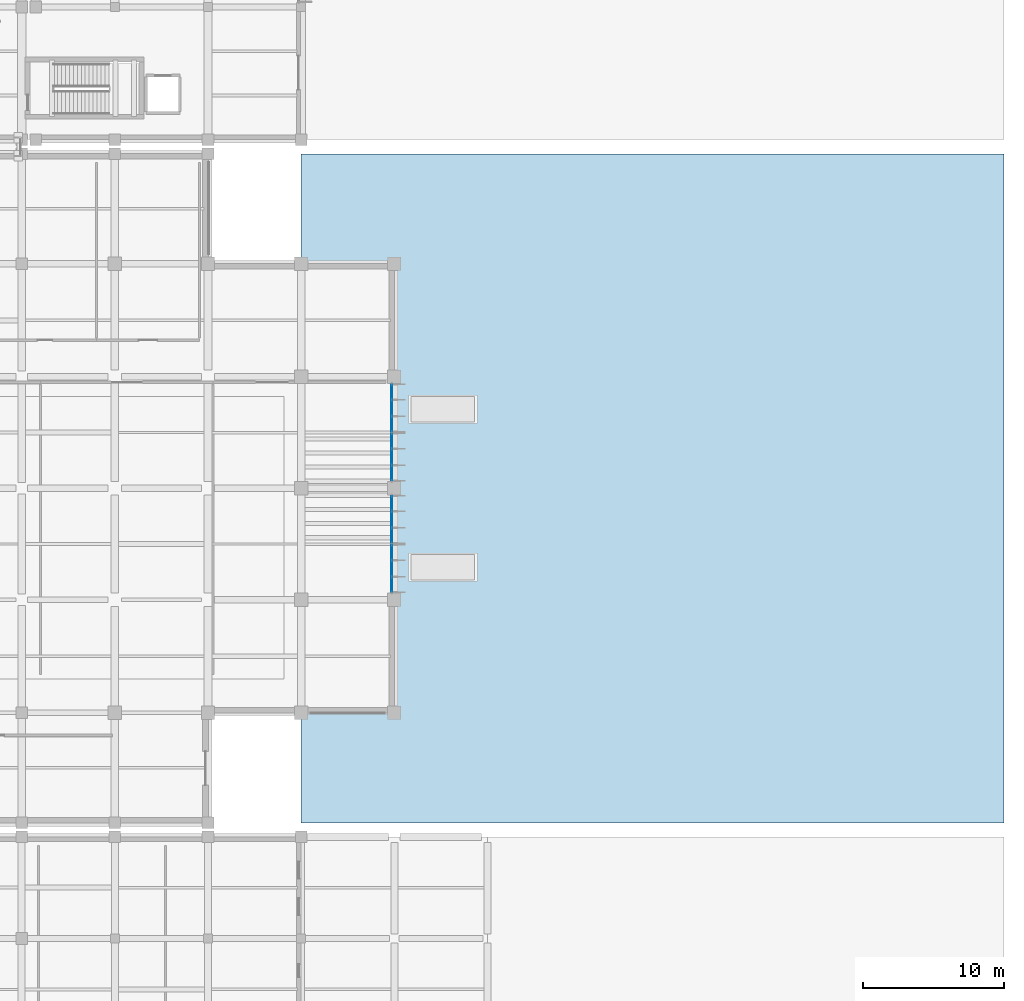
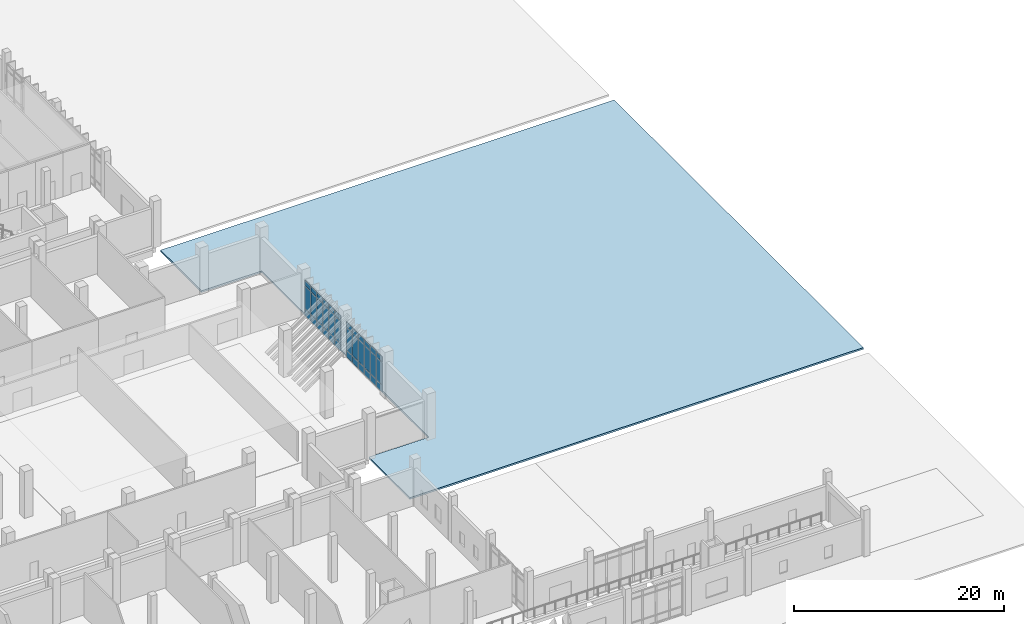
# One storey, part 48 of 79: 36 plates, 1 slab, 4 elements without a shape of their own.
"""IFC4 building model written with IfcOpenShell, lengths in metres."""

from ifc_helpers import new_model, si_unit, direction, frame, origin, origin_2d, place, context, subcontext, project, spatial, polyline, rectangle, outline, extrude, material, layer, layer_set, type_object, element, aggregate, save


model = new_model("IFC4")

# Units and contexts
model_context = context("Model", 3, precision=1e-05, world=origin(), true_north=direction((0.0, 1.0)))
body_context = subcontext(model_context, "Body", "Model", "MODEL_VIEW")
ifc_project = project(units=[si_unit("LENGTHUNIT", "METRE"), si_unit("AREAUNIT", "SQUARE_METRE"), si_unit("VOLUMEUNIT", "CUBIC_METRE"), si_unit("PLANEANGLEUNIT", "RADIAN"), si_unit("MASSUNIT", "GRAM", prefix="KILO")], contexts=[model_context])

# Site, building, storey
site_placement = place(None, origin())
site = spatial("IfcSite", under=ifc_project, at=site_placement, CompositionType="ELEMENT")
building_placement = place(site_placement, origin())
building = spatial("IfcBuilding", under=site, at=building_placement, Name="Kelarvand Opera House", CompositionType="ELEMENT")
storey_placement = place(building_placement, origin())
storey = spatial("IfcBuildingStorey", under=building, at=storey_placement, Name="L00", CompositionType="ELEMENT", Elevation=0.0)

# Curtain wall, plates
ifc_material_1 = material(Name="Thermally broken aluminium and low-E glazing", Category="aluminium")
ifc_layer_1 = layer(ifc_material_1, 0.219970703125, Name="Thermally broken aluminium and low-E glazing", Category="aluminium")
ifc_layer_set_1 = layer_set([ifc_layer_1], Name="Thermally broken aluminium and low-E glazing")
curtain_wall_type = type_object("IfcCurtainWallType", Name="Unitised Low-E Curtain Wall 3461x4250 Mod 1150 CWF-01", PredefinedType="USERDEFINED", material=ifc_layer_set_1)
curtain_wall_1_placement = place(storey_placement, origin())
curtain_wall_1 = element("IfcCurtainWall", 1, at=curtain_wall_1_placement, inside=storey, type_object=curtain_wall_type, Name="V1 L00 Curtain Wall CWF-01 (1)", ObjectType="UNITISED CURTAIN WALL", PredefinedType="USERDEFINED")
ifc_material_2 = material(Name="Acoustic triple-laminated low-E glazing", Category="glass")
ifc_layer_2 = layer(ifc_material_2, 0.0400390625, Name="Acoustic triple-laminated low-E glazing", Category="glass")
ifc_layer_set_2 = layer_set([ifc_layer_2], Name="Acoustic triple-laminated low-E glazing")
plate_type = type_object("IfcPlateType", Name="Acoustic Laminated Plaza Curtain Panel 40mm", PredefinedType="CURTAIN_PANEL", material=ifc_layer_set_2)
plate_1_placement = place(storey_placement, frame((141.6201171875, 69.3193359375, 0.074951171875), z_axis=(0.0, 0.0, 1.0), x_axis=(0.0, -1.0, 0.0)))
plate_1 = element("IfcPlate", 2, at=plate_1_placement, type_object=plate_type, Name="CWF-01 panel 1.1", PredefinedType="CURTAIN_PANEL", context=body_context, shape_type="SweptSolid", body=[
    extrude(rectangle(XDim=1.041259765625, YDim=0.0400390625, at=origin_2d()), origin(), (0.0, 0.0, 1.0), 0.78759765625),
])
plate_2_placement = place(storey_placement, frame((141.6201171875, 69.3193359375, 0.9375), z_axis=(0.0, 0.0, 1.0), x_axis=(0.0, -1.0, 0.0)))
plate_2 = element("IfcPlate", 3, at=plate_2_placement, type_object=plate_type, Name="CWF-01 panel 1.2", PredefinedType="CURTAIN_PANEL", context=body_context, shape_type="SweptSolid", body=[
    extrude(rectangle(XDim=1.041259765625, YDim=0.0400390625, at=origin_2d()), origin(), (0.0, 0.0, 1.0), 2.574951171875),
])
plate_3_placement = place(storey_placement, frame((141.6201171875, 69.3193359375, 3.587646484375), z_axis=(0.0, 0.0, 1.0), x_axis=(0.0, -1.0, 0.0)))
plate_3 = element("IfcPlate", 4, at=plate_3_placement, type_object=plate_type, Name="CWF-01 panel 1.3", PredefinedType="CURTAIN_PANEL", context=body_context, shape_type="SweptSolid", body=[
    extrude(rectangle(XDim=1.041259765625, YDim=0.0400390625, at=origin_2d()), origin(), (0.0, 0.0, 1.0), 0.58740234375),
])
plate_4_placement = place(storey_placement, frame((141.6201171875, 68.1845703125, 0.074951171875), z_axis=(0.0, 0.0, 1.0), x_axis=(0.0, -1.0, 0.0)))
plate_4 = element("IfcPlate", 5, at=plate_4_placement, type_object=plate_type, Name="CWF-01 panel 2.1", PredefinedType="CURTAIN_PANEL", context=body_context, shape_type="SweptSolid", body=[
    extrude(rectangle(XDim=1.07861328125, YDim=0.0400390625, at=origin_2d()), origin(), (0.0, 0.0, 1.0), 0.78759765625),
])
plate_5_placement = place(storey_placement, frame((141.6201171875, 68.1845703125, 0.9375), z_axis=(0.0, 0.0, 1.0), x_axis=(0.0, -1.0, 0.0)))
plate_5 = element("IfcPlate", 6, at=plate_5_placement, type_object=plate_type, Name="CWF-01 panel 2.2", PredefinedType="CURTAIN_PANEL", context=body_context, shape_type="SweptSolid", body=[
    extrude(rectangle(XDim=1.07861328125, YDim=0.0400390625, at=origin_2d()), origin(), (0.0, 0.0, 1.0), 2.574951171875),
])
plate_6_placement = place(storey_placement, frame((141.6201171875, 68.1845703125, 3.587646484375), z_axis=(0.0, 0.0, 1.0), x_axis=(0.0, -1.0, 0.0)))
plate_6 = element("IfcPlate", 7, at=plate_6_placement, type_object=plate_type, Name="CWF-01 panel 2.3", PredefinedType="CURTAIN_PANEL", context=body_context, shape_type="SweptSolid", body=[
    extrude(rectangle(XDim=1.07861328125, YDim=0.0400390625, at=origin_2d()), origin(), (0.0, 0.0, 1.0), 0.58740234375),
])
plate_7_placement = place(storey_placement, frame((141.6201171875, 67.049560546875, 0.074951171875), z_axis=(0.0, 0.0, 1.0), x_axis=(0.0, -1.0, 0.0)))
plate_7 = element("IfcPlate", 8, at=plate_7_placement, type_object=plate_type, Name="CWF-01 panel 3.1", PredefinedType="CURTAIN_PANEL", context=body_context, shape_type="SweptSolid", body=[
    extrude(rectangle(XDim=1.041259765625, YDim=0.0400390625, at=origin_2d()), origin(), (0.0, 0.0, 1.0), 0.78759765625),
])
plate_8_placement = place(storey_placement, frame((141.6201171875, 67.049560546875, 0.9375), z_axis=(0.0, 0.0, 1.0), x_axis=(0.0, -1.0, 0.0)))
plate_8 = element("IfcPlate", 9, at=plate_8_placement, type_object=plate_type, Name="CWF-01 panel 3.2", PredefinedType="CURTAIN_PANEL", context=body_context, shape_type="SweptSolid", body=[
    extrude(rectangle(XDim=1.041259765625, YDim=0.0400390625, at=origin_2d()), origin(), (0.0, 0.0, 1.0), 2.574951171875),
])
plate_9_placement = place(storey_placement, frame((141.6201171875, 67.049560546875, 3.587646484375), z_axis=(0.0, 0.0, 1.0), x_axis=(0.0, -1.0, 0.0)))
plate_9 = element("IfcPlate", 10, at=plate_9_placement, type_object=plate_type, Name="CWF-01 panel 3.3", PredefinedType="CURTAIN_PANEL", context=body_context, shape_type="SweptSolid", body=[
    extrude(rectangle(XDim=1.041259765625, YDim=0.0400390625, at=origin_2d()), origin(), (0.0, 0.0, 1.0), 0.58740234375),
])
aggregate(curtain_wall_1, [plate_1, plate_2, plate_3, plate_4, plate_5, plate_6, plate_7, plate_8, plate_9])

curtain_wall_2_placement = place(storey_placement, origin())
curtain_wall_2 = element("IfcCurtainWall", 11, at=curtain_wall_2_placement, inside=storey, type_object=curtain_wall_type, Name="V1 L00 Curtain Wall CWF-01 (2)", ObjectType="UNITISED CURTAIN WALL", PredefinedType="USERDEFINED")
plate_10_placement = place(storey_placement, frame((141.6201171875, 65.853759765625, 0.074951171875), z_axis=(0.0, 0.0, 1.0), x_axis=(0.0, -1.0, 0.0)))
plate_10 = element("IfcPlate", 12, at=plate_10_placement, type_object=plate_type, Name="CWF-01 panel 1.1", PredefinedType="CURTAIN_PANEL", context=body_context, shape_type="SweptSolid", body=[
    extrude(rectangle(XDim=1.04248046875, YDim=0.0400390625, at=origin_2d()), origin(), (0.0, 0.0, 1.0), 0.78759765625),
])
plate_11_placement = place(storey_placement, frame((141.6201171875, 65.853759765625, 0.9375), z_axis=(0.0, 0.0, 1.0), x_axis=(0.0, -1.0, 0.0)))
plate_11 = element("IfcPlate", 13, at=plate_11_placement, type_object=plate_type, Name="CWF-01 panel 1.2", PredefinedType="CURTAIN_PANEL", context=body_context, shape_type="SweptSolid", body=[
    extrude(rectangle(XDim=1.04248046875, YDim=0.0400390625, at=origin_2d()), origin(), (0.0, 0.0, 1.0), 2.574951171875),
])
plate_12_placement = place(storey_placement, frame((141.6201171875, 65.853759765625, 3.587646484375), z_axis=(0.0, 0.0, 1.0), x_axis=(0.0, -1.0, 0.0)))
plate_12 = element("IfcPlate", 14, at=plate_12_placement, type_object=plate_type, Name="CWF-01 panel 1.3", PredefinedType="CURTAIN_PANEL", context=body_context, shape_type="SweptSolid", body=[
    extrude(rectangle(XDim=1.04248046875, YDim=0.0400390625, at=origin_2d()), origin(), (0.0, 0.0, 1.0), 0.58740234375),
])
plate_13_placement = place(storey_placement, frame((141.6201171875, 64.717529296875, 0.074951171875), z_axis=(0.0, 0.0, 1.0), x_axis=(0.0, -1.0, 0.0)))
plate_13 = element("IfcPlate", 15, at=plate_13_placement, type_object=plate_type, Name="CWF-01 panel 2.1", PredefinedType="CURTAIN_PANEL", context=body_context, shape_type="SweptSolid", body=[
    extrude(rectangle(XDim=1.080078125, YDim=0.0400390625, at=origin_2d()), origin(), (0.0, 0.0, 1.0), 0.78759765625),
])
plate_14_placement = place(storey_placement, frame((141.6201171875, 64.717529296875, 0.9375), z_axis=(0.0, 0.0, 1.0), x_axis=(0.0, -1.0, 0.0)))
plate_14 = element("IfcPlate", 16, at=plate_14_placement, type_object=plate_type, Name="CWF-01 panel 2.2", PredefinedType="CURTAIN_PANEL", context=body_context, shape_type="SweptSolid", body=[
    extrude(rectangle(XDim=1.080078125, YDim=0.0400390625, at=origin_2d()), origin(), (0.0, 0.0, 1.0), 2.574951171875),
])
plate_15_placement = place(storey_placement, frame((141.6201171875, 64.717529296875, 3.587646484375), z_axis=(0.0, 0.0, 1.0), x_axis=(0.0, -1.0, 0.0)))
plate_15 = element("IfcPlate", 17, at=plate_15_placement, type_object=plate_type, Name="CWF-01 panel 2.3", PredefinedType="CURTAIN_PANEL", context=body_context, shape_type="SweptSolid", body=[
    extrude(rectangle(XDim=1.080078125, YDim=0.0400390625, at=origin_2d()), origin(), (0.0, 0.0, 1.0), 0.58740234375),
])
plate_16_placement = place(storey_placement, frame((141.6201171875, 63.581298828125, 0.074951171875), z_axis=(0.0, 0.0, 1.0), x_axis=(0.0, -1.0, 0.0)))
plate_16 = element("IfcPlate", 18, at=plate_16_placement, type_object=plate_type, Name="CWF-01 panel 3.1", PredefinedType="CURTAIN_PANEL", context=body_context, shape_type="SweptSolid", body=[
    extrude(rectangle(XDim=1.04248046875, YDim=0.0400390625, at=origin_2d()), origin(), (0.0, 0.0, 1.0), 0.78759765625),
])
plate_17_placement = place(storey_placement, frame((141.6201171875, 63.581298828125, 0.9375), z_axis=(0.0, 0.0, 1.0), x_axis=(0.0, -1.0, 0.0)))
plate_17 = element("IfcPlate", 19, at=plate_17_placement, type_object=plate_type, Name="CWF-01 panel 3.2", PredefinedType="CURTAIN_PANEL", context=body_context, shape_type="SweptSolid", body=[
    extrude(rectangle(XDim=1.04248046875, YDim=0.0400390625, at=origin_2d()), origin(), (0.0, 0.0, 1.0), 2.574951171875),
])
plate_18_placement = place(storey_placement, frame((141.6201171875, 63.581298828125, 3.587646484375), z_axis=(0.0, 0.0, 1.0), x_axis=(0.0, -1.0, 0.0)))
plate_18 = element("IfcPlate", 20, at=plate_18_placement, type_object=plate_type, Name="CWF-01 panel 3.3", PredefinedType="CURTAIN_PANEL", context=body_context, shape_type="SweptSolid", body=[
    extrude(rectangle(XDim=1.04248046875, YDim=0.0400390625, at=origin_2d()), origin(), (0.0, 0.0, 1.0), 0.58740234375),
])
aggregate(curtain_wall_2, [plate_10, plate_11, plate_12, plate_13, plate_14, plate_15, plate_16, plate_17, plate_18])

curtain_wall_3_placement = place(storey_placement, origin())
curtain_wall_3 = element("IfcCurtainWall", 21, at=curtain_wall_3_placement, inside=storey, type_object=curtain_wall_type, Name="V1 L00 Curtain Wall CWF-01 (3)", ObjectType="UNITISED CURTAIN WALL", PredefinedType="USERDEFINED")
plate_19_placement = place(storey_placement, frame((141.6201171875, 61.41943359375, 0.074951171875), z_axis=(0.0, 0.0, 1.0), x_axis=(0.0, -1.0, 0.0)))
plate_19 = element("IfcPlate", 22, at=plate_19_placement, type_object=plate_type, Name="CWF-01 panel 1.1", PredefinedType="CURTAIN_PANEL", context=body_context, shape_type="SweptSolid", body=[
    extrude(rectangle(XDim=1.041259765625, YDim=0.0400390625, at=origin_2d()), origin(), (0.0, 0.0, 1.0), 0.78759765625),
])
plate_20_placement = place(storey_placement, frame((141.6201171875, 61.41943359375, 0.9375), z_axis=(0.0, 0.0, 1.0), x_axis=(0.0, -1.0, 0.0)))
plate_20 = element("IfcPlate", 23, at=plate_20_placement, type_object=plate_type, Name="CWF-01 panel 1.2", PredefinedType="CURTAIN_PANEL", context=body_context, shape_type="SweptSolid", body=[
    extrude(rectangle(XDim=1.041259765625, YDim=0.0400390625, at=origin_2d()), origin(), (0.0, 0.0, 1.0), 2.574951171875),
])
plate_21_placement = place(storey_placement, frame((141.6201171875, 61.41943359375, 3.587646484375), z_axis=(0.0, 0.0, 1.0), x_axis=(0.0, -1.0, 0.0)))
plate_21 = element("IfcPlate", 24, at=plate_21_placement, type_object=plate_type, Name="CWF-01 panel 1.3", PredefinedType="CURTAIN_PANEL", context=body_context, shape_type="SweptSolid", body=[
    extrude(rectangle(XDim=1.041259765625, YDim=0.0400390625, at=origin_2d()), origin(), (0.0, 0.0, 1.0), 0.58740234375),
])
plate_22_placement = place(storey_placement, frame((141.6201171875, 60.284423828125, 0.074951171875), z_axis=(0.0, 0.0, 1.0), x_axis=(0.0, -1.0, 0.0)))
plate_22 = element("IfcPlate", 25, at=plate_22_placement, type_object=plate_type, Name="CWF-01 panel 2.1", PredefinedType="CURTAIN_PANEL", context=body_context, shape_type="SweptSolid", body=[
    extrude(rectangle(XDim=1.07861328125, YDim=0.0400390625, at=origin_2d()), origin(), (0.0, 0.0, 1.0), 0.78759765625),
])
plate_23_placement = place(storey_placement, frame((141.6201171875, 60.284423828125, 0.9375), z_axis=(0.0, 0.0, 1.0), x_axis=(0.0, -1.0, 0.0)))
plate_23 = element("IfcPlate", 26, at=plate_23_placement, type_object=plate_type, Name="CWF-01 panel 2.2", PredefinedType="CURTAIN_PANEL", context=body_context, shape_type="SweptSolid", body=[
    extrude(rectangle(XDim=1.07861328125, YDim=0.0400390625, at=origin_2d()), origin(), (0.0, 0.0, 1.0), 2.574951171875),
])
plate_24_placement = place(storey_placement, frame((141.6201171875, 60.284423828125, 3.587646484375), z_axis=(0.0, 0.0, 1.0), x_axis=(0.0, -1.0, 0.0)))
plate_24 = element("IfcPlate", 27, at=plate_24_placement, type_object=plate_type, Name="CWF-01 panel 2.3", PredefinedType="CURTAIN_PANEL", context=body_context, shape_type="SweptSolid", body=[
    extrude(rectangle(XDim=1.07861328125, YDim=0.0400390625, at=origin_2d()), origin(), (0.0, 0.0, 1.0), 0.58740234375),
])
plate_25_placement = place(storey_placement, frame((141.6201171875, 59.149658203125, 0.074951171875), z_axis=(0.0, 0.0, 1.0), x_axis=(0.0, -1.0, 0.0)))
plate_25 = element("IfcPlate", 28, at=plate_25_placement, type_object=plate_type, Name="CWF-01 panel 3.1", PredefinedType="CURTAIN_PANEL", context=body_context, shape_type="SweptSolid", body=[
    extrude(rectangle(XDim=1.041259765625, YDim=0.0400390625, at=origin_2d()), origin(), (0.0, 0.0, 1.0), 0.78759765625),
])
plate_26_placement = place(storey_placement, frame((141.6201171875, 59.149658203125, 0.9375), z_axis=(0.0, 0.0, 1.0), x_axis=(0.0, -1.0, 0.0)))
plate_26 = element("IfcPlate", 29, at=plate_26_placement, type_object=plate_type, Name="CWF-01 panel 3.2", PredefinedType="CURTAIN_PANEL", context=body_context, shape_type="SweptSolid", body=[
    extrude(rectangle(XDim=1.041259765625, YDim=0.0400390625, at=origin_2d()), origin(), (0.0, 0.0, 1.0), 2.574951171875),
])
plate_27_placement = place(storey_placement, frame((141.6201171875, 59.149658203125, 3.587646484375), z_axis=(0.0, 0.0, 1.0), x_axis=(0.0, -1.0, 0.0)))
plate_27 = element("IfcPlate", 30, at=plate_27_placement, type_object=plate_type, Name="CWF-01 panel 3.3", PredefinedType="CURTAIN_PANEL", context=body_context, shape_type="SweptSolid", body=[
    extrude(rectangle(XDim=1.041259765625, YDim=0.0400390625, at=origin_2d()), origin(), (0.0, 0.0, 1.0), 0.58740234375),
])
aggregate(curtain_wall_3, [plate_19, plate_20, plate_21, plate_22, plate_23, plate_24, plate_25, plate_26, plate_27])

curtain_wall_4_placement = place(storey_placement, origin())
curtain_wall_4 = element("IfcCurtainWall", 31, at=curtain_wall_4_placement, inside=storey, type_object=curtain_wall_type, Name="V1 L00 Curtain Wall CWF-01 (4)", ObjectType="UNITISED CURTAIN WALL", PredefinedType="USERDEFINED")
plate_28_placement = place(storey_placement, frame((141.6201171875, 57.953857421875, 0.074951171875), z_axis=(0.0, 0.0, 1.0), x_axis=(0.0, -1.0, 0.0)))
plate_28 = element("IfcPlate", 32, at=plate_28_placement, type_object=plate_type, Name="CWF-01 panel 1.1", PredefinedType="CURTAIN_PANEL", context=body_context, shape_type="SweptSolid", body=[
    extrude(rectangle(XDim=1.04248046875, YDim=0.0400390625, at=origin_2d()), origin(), (0.0, 0.0, 1.0), 0.78759765625),
])
plate_29_placement = place(storey_placement, frame((141.6201171875, 57.953857421875, 0.9375), z_axis=(0.0, 0.0, 1.0), x_axis=(0.0, -1.0, 0.0)))
plate_29 = element("IfcPlate", 33, at=plate_29_placement, type_object=plate_type, Name="CWF-01 panel 1.2", PredefinedType="CURTAIN_PANEL", context=body_context, shape_type="SweptSolid", body=[
    extrude(rectangle(XDim=1.04248046875, YDim=0.0400390625, at=origin_2d()), origin(), (0.0, 0.0, 1.0), 2.574951171875),
])
plate_30_placement = place(storey_placement, frame((141.6201171875, 57.953857421875, 3.587646484375), z_axis=(0.0, 0.0, 1.0), x_axis=(0.0, -1.0, 0.0)))
plate_30 = element("IfcPlate", 34, at=plate_30_placement, type_object=plate_type, Name="CWF-01 panel 1.3", PredefinedType="CURTAIN_PANEL", context=body_context, shape_type="SweptSolid", body=[
    extrude(rectangle(XDim=1.04248046875, YDim=0.0400390625, at=origin_2d()), origin(), (0.0, 0.0, 1.0), 0.58740234375),
])
plate_31_placement = place(storey_placement, frame((141.6201171875, 56.8173828125, 0.074951171875), z_axis=(0.0, 0.0, 1.0), x_axis=(0.0, -1.0, 0.0)))
plate_31 = element("IfcPlate", 35, at=plate_31_placement, type_object=plate_type, Name="CWF-01 panel 2.1", PredefinedType="CURTAIN_PANEL", context=body_context, shape_type="SweptSolid", body=[
    extrude(rectangle(XDim=1.080078125, YDim=0.0400390625, at=origin_2d()), origin(), (0.0, 0.0, 1.0), 0.78759765625),
])
plate_32_placement = place(storey_placement, frame((141.6201171875, 56.8173828125, 0.9375), z_axis=(0.0, 0.0, 1.0), x_axis=(0.0, -1.0, 0.0)))
plate_32 = element("IfcPlate", 36, at=plate_32_placement, type_object=plate_type, Name="CWF-01 panel 2.2", PredefinedType="CURTAIN_PANEL", context=body_context, shape_type="SweptSolid", body=[
    extrude(rectangle(XDim=1.080078125, YDim=0.0400390625, at=origin_2d()), origin(), (0.0, 0.0, 1.0), 2.574951171875),
])
plate_33_placement = place(storey_placement, frame((141.6201171875, 56.8173828125, 3.587646484375), z_axis=(0.0, 0.0, 1.0), x_axis=(0.0, -1.0, 0.0)))
plate_33 = element("IfcPlate", 37, at=plate_33_placement, type_object=plate_type, Name="CWF-01 panel 2.3", PredefinedType="CURTAIN_PANEL", context=body_context, shape_type="SweptSolid", body=[
    extrude(rectangle(XDim=1.080078125, YDim=0.0400390625, at=origin_2d()), origin(), (0.0, 0.0, 1.0), 0.58740234375),
])
plate_34_placement = place(storey_placement, frame((141.6201171875, 55.68115234375, 0.074951171875), z_axis=(0.0, 0.0, 1.0), x_axis=(0.0, -1.0, 0.0)))
plate_34 = element("IfcPlate", 38, at=plate_34_placement, type_object=plate_type, Name="CWF-01 panel 3.1", PredefinedType="CURTAIN_PANEL", context=body_context, shape_type="SweptSolid", body=[
    extrude(rectangle(XDim=1.04248046875, YDim=0.0400390625, at=origin_2d()), origin(), (0.0, 0.0, 1.0), 0.78759765625),
])
plate_35_placement = place(storey_placement, frame((141.6201171875, 55.68115234375, 0.9375), z_axis=(0.0, 0.0, 1.0), x_axis=(0.0, -1.0, 0.0)))
plate_35 = element("IfcPlate", 39, at=plate_35_placement, type_object=plate_type, Name="CWF-01 panel 3.2", PredefinedType="CURTAIN_PANEL", context=body_context, shape_type="SweptSolid", body=[
    extrude(rectangle(XDim=1.04248046875, YDim=0.0400390625, at=origin_2d()), origin(), (0.0, 0.0, 1.0), 2.574951171875),
])
plate_36_placement = place(storey_placement, frame((141.6201171875, 55.68115234375, 3.587646484375), z_axis=(0.0, 0.0, 1.0), x_axis=(0.0, -1.0, 0.0)))
plate_36 = element("IfcPlate", 40, at=plate_36_placement, type_object=plate_type, Name="CWF-01 panel 3.3", PredefinedType="CURTAIN_PANEL", context=body_context, shape_type="SweptSolid", body=[
    extrude(rectangle(XDim=1.04248046875, YDim=0.0400390625, at=origin_2d()), origin(), (0.0, 0.0, 1.0), 0.58740234375),
])
aggregate(curtain_wall_4, [plate_28, plate_29, plate_30, plate_31, plate_32, plate_33, plate_34, plate_35, plate_36])

# Slab
ifc_material_3 = material(Name="Concrete C35/45", Category="concrete")
ifc_layer_3 = layer(ifc_material_3, 0.199951171875, Name="Concrete C35/45", Category="concrete")
ifc_layer_set_3 = layer_set([ifc_layer_3], Name="Concrete C35/45")
slab_type = type_object("IfcSlabType", Name="Site Entrance and Apron Paving 200", PredefinedType="USERDEFINED", material=ifc_layer_set_3)
slab_placement = place(storey_placement, frame((0.0, 0.0, -0.199951171875)))
element("IfcSlab", 41, at=slab_placement, inside=storey, type_object=slab_type, Name="Exterior Pav East Plaza", ObjectType="PAVING", PredefinedType="USERDEFINED", context=body_context, shape_type="SweptSolid", body=[
    extrude(outline(polyline([(135.199951171875, 38.800048828125), (185.0, 38.800048828125), (185.0, 86.199951171875), (135.199951171875, 86.199951171875), (135.199951171875, 78.39990234375), (141.800048828125, 78.39990234375), (141.800048828125, 46.60009765625), (135.199951171875, 46.60009765625), (135.199951171875, 38.800048828125)])), origin(), (0.0, 0.0, 1.0), 0.199951171875),
])

save(model, "model.ifc")
